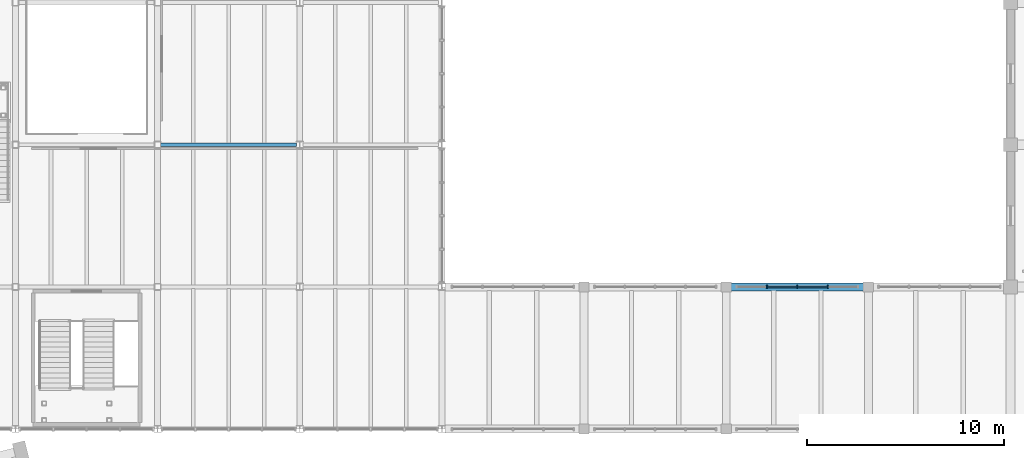
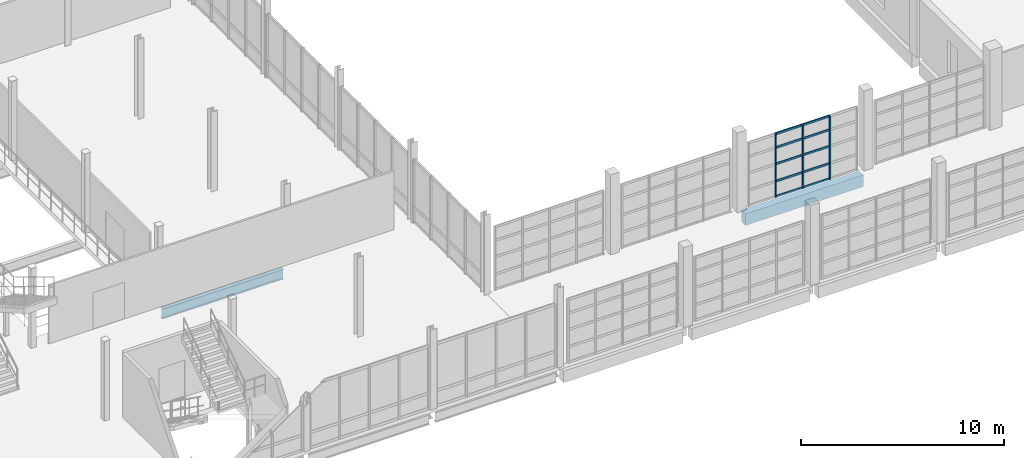
# One storey, part 31 of 77: 13 members, 2 beams, 1 element without a shape of its own.
"""IFC4 building model written with IfcOpenShell, lengths in metres."""

from ifc_helpers import new_model, si_unit, direction, frame, origin, origin_2d, place, context, subcontext, project, spatial, rectangle, i_section, extrude, material, material_profile, profile_set, type_object, element, aggregate, save


model = new_model("IFC4")

# Units and contexts
model_context = context("Model", 3, precision=1e-05, world=origin(), true_north=direction((0.0, 1.0)))
body_context = subcontext(model_context, "Body", "Model", "MODEL_VIEW")
ifc_project = project(units=[si_unit("LENGTHUNIT", "METRE"), si_unit("AREAUNIT", "SQUARE_METRE"), si_unit("VOLUMEUNIT", "CUBIC_METRE"), si_unit("PLANEANGLEUNIT", "RADIAN"), si_unit("MASSUNIT", "GRAM", prefix="KILO")], contexts=[model_context])

# Site, building, storey
site_placement = place(None, origin())
site = spatial("IfcSite", under=ifc_project, at=site_placement, CompositionType="ELEMENT")
building_placement = place(site_placement, origin())
building = spatial("IfcBuilding", under=site, at=building_placement, Name="Qiaolan Assembly House", CompositionType="ELEMENT")
storey_placement = place(building_placement, frame((0.0, 0.0, 5.39990234375)))
storey = spatial("IfcBuildingStorey", under=building, at=storey_placement, Name="L01", CompositionType="ELEMENT", Elevation=5.39990234375)

# Beams
ifc_material_1 = material(Name="Concrete C40/50", Category="concrete")
ifc_material_profile_1 = material_profile(ifc_material_1, rectangle(XDim=0.39990234375, YDim=0.699951171875, at=origin_2d()), Name="RCB 400x700")
ifc_profile_set_1 = profile_set([ifc_material_profile_1], Name="Concrete C40/50")
beam_type_1 = type_object("IfcBeamType", Name="BM-RC-400x700", PredefinedType="BEAM", material=ifc_profile_set_1)
beam_1_placement = place(storey_placement, frame((122.64990234375, 43.199951171875, -0.619873046875), z_axis=(1.0, 0.0, 0.0), x_axis=(0.0, 1.0, 0.0)))
element("IfcBeam", 1, at=beam_1_placement, inside=storey, type_object=beam_type_1, Name="GB-05 beam BMX-CLS-L01-02-01", PredefinedType="BEAM", context=body_context, shape_type="SweptSolid", body=[
    extrude(rectangle(XDim=0.39990234375, YDim=0.699951171875, at=origin_2d()), origin(), (0.0, 0.0, 1.0), 6.7001953125),
])
ifc_material_2 = material(Name="Steel Q355B", Category="steel")
ifc_material_profile_2 = material_profile(ifc_material_2, i_section(OverallWidth=0.199951171875, OverallDepth=0.60009765625, WebThickness=0.010986328125, FlangeThickness=0.01708984375, FilletRadius=0.02001953125, at=origin_2d()), Name="HN 600x200x11x17")
ifc_profile_set_2 = profile_set([ifc_material_profile_2], Name="Steel Q355B")
beam_type_2 = type_object("IfcBeamType", Name="BM-STL-HN600", PredefinedType="BEAM", material=ifc_profile_set_2)
beam_2_placement = place(storey_placement, frame((93.75, 50.39990234375, -0.599853515625), z_axis=(1.0, 0.0, 0.0), x_axis=(0.0, 1.0, 0.0)))
element("IfcBeam", 2, at=beam_2_placement, inside=storey, type_object=beam_type_2, Name="SB-03 beam BMX-HL-L01-10-02", PredefinedType="BEAM", context=body_context, shape_type="SweptSolid", body=[
    extrude(i_section(OverallWidth=0.199951171875, OverallDepth=0.60009765625, WebThickness=0.010986328125, FlangeThickness=0.01708984375, FilletRadius=0.02001953125, at=origin_2d()), origin(), (0.0, 0.0, 1.0), 6.885009765625),
])

# Curtain wall, members
ifc_material_3 = material(Name="Anodised bronze aluminium", Category="aluminium")
curtain_wall_type = type_object("IfcCurtainWallType", Name="CW-CLOISTER-420", PredefinedType="NOTDEFINED", material=ifc_material_3)
curtain_wall_placement = place(storey_placement, origin())
curtain_wall = element("IfcCurtainWall", 3, at=curtain_wall_placement, inside=storey, type_object=curtain_wall_type, Name="CW-05 South Cloister court arcade L01-3", PredefinedType="NOTDEFINED")
ifc_material_profile_3 = material_profile(ifc_material_3, rectangle(XDim=0.070068359375, YDim=0.155029296875, at=origin_2d()), Name="MUL 70x155")
ifc_profile_set_3 = profile_set([ifc_material_profile_3], Name="Anodised bronze aluminium")
member_type_1 = type_object("IfcMemberType", Name="CW-CLOISTER-420-MUL", PredefinedType="MULLION", material=ifc_profile_set_3)
member_1_placement = place(storey_placement, frame((127.5400390625, 43.199951171875, 0.0), z_axis=(0.0, 0.0, 1.0), x_axis=(-1.0, 0.0, 0.0)))
member_1 = element("IfcMember", 4, at=member_1_placement, type_object=member_type_1, Name="ML-06 mullion CW-CLS-CRT-L01-2-2", PredefinedType="MULLION", context=body_context, shape_type="SweptSolid", body=[
    extrude(rectangle(XDim=0.070068359375, YDim=0.155029296875, at=origin_2d()), origin(), (0.0, 0.0, 1.0), 3.820068359375),
])
member_2_placement = place(storey_placement, frame((126.0, 43.199951171875, 0.0), z_axis=(0.0, 0.0, 1.0), x_axis=(-1.0, 0.0, 0.0)))
member_2 = element("IfcMember", 5, at=member_2_placement, type_object=member_type_1, Name="ML-06 mullion CW-CLS-CRT-L01-2-3", PredefinedType="MULLION", context=body_context, shape_type="SweptSolid", body=[
    extrude(rectangle(XDim=0.070068359375, YDim=0.155029296875, at=origin_2d()), origin(), (0.0, 0.0, 1.0), 3.820068359375),
])
member_3_placement = place(storey_placement, frame((124.4599609375, 43.199951171875, 0.0), z_axis=(0.0, 0.0, 1.0), x_axis=(-1.0, 0.0, 0.0)))
member_3 = element("IfcMember", 6, at=member_3_placement, type_object=member_type_1, Name="ML-06 mullion CW-CLS-CRT-L01-2-4", PredefinedType="MULLION", context=body_context, shape_type="SweptSolid", body=[
    extrude(rectangle(XDim=0.070068359375, YDim=0.155029296875, at=origin_2d()), origin(), (0.0, 0.0, 1.0), 3.820068359375),
])
ifc_material_profile_4 = material_profile(ifc_material_3, rectangle(XDim=0.06201171875, YDim=0.125, at=origin_2d()), Name="TRN 62x125")
ifc_profile_set_4 = profile_set([ifc_material_profile_4], Name="Anodised bronze aluminium")
member_type_2 = type_object("IfcMemberType", Name="CW-CLOISTER-420-TRN", PredefinedType="USERDEFINED", material=ifc_profile_set_4)
member_4_placement = place(storey_placement, frame((127.5048828125, 43.199951171875, 0.030029296875), z_axis=(-1.0, 0.0, 0.0), x_axis=(0.0, -1.0, 0.0)))
member_4 = element("IfcMember", 7, at=member_4_placement, type_object=member_type_2, Name="TR-06 transom CW-CLS-CRT-L01-2-2-1", ObjectType="TRANSOM", PredefinedType="USERDEFINED", context=body_context, shape_type="SweptSolid", body=[
    extrude(rectangle(XDim=0.06201171875, YDim=0.125, at=origin_2d()), origin(), (0.0, 0.0, 1.0), 1.469970703125),
])
member_5_placement = place(storey_placement, frame((127.5048828125, 43.199951171875, 0.9501953125), z_axis=(-1.0, 0.0, 0.0), x_axis=(0.0, -1.0, 0.0)))
member_5 = element("IfcMember", 8, at=member_5_placement, type_object=member_type_2, Name="TR-06 transom CW-CLS-CRT-L01-2-2-2", ObjectType="TRANSOM", PredefinedType="USERDEFINED", context=body_context, shape_type="SweptSolid", body=[
    extrude(rectangle(XDim=0.06201171875, YDim=0.125, at=origin_2d()), origin(), (0.0, 0.0, 1.0), 1.469970703125),
])
member_6_placement = place(storey_placement, frame((127.5048828125, 43.199951171875, 1.986572265625), z_axis=(-1.0, 0.0, 0.0), x_axis=(0.0, -1.0, 0.0)))
member_6 = element("IfcMember", 9, at=member_6_placement, type_object=member_type_2, Name="TR-06 transom CW-CLS-CRT-L01-2-2-3", ObjectType="TRANSOM", PredefinedType="USERDEFINED", context=body_context, shape_type="SweptSolid", body=[
    extrude(rectangle(XDim=0.06201171875, YDim=0.125, at=origin_2d()), origin(), (0.0, 0.0, 1.0), 1.469970703125),
])
member_7_placement = place(storey_placement, frame((127.5048828125, 43.199951171875, 2.97021484375), z_axis=(-1.0, 0.0, 0.0), x_axis=(0.0, -1.0, 0.0)))
member_7 = element("IfcMember", 10, at=member_7_placement, type_object=member_type_2, Name="TR-06 transom CW-CLS-CRT-L01-2-2-4", ObjectType="TRANSOM", PredefinedType="USERDEFINED", context=body_context, shape_type="SweptSolid", body=[
    extrude(rectangle(XDim=0.06201171875, YDim=0.125, at=origin_2d()), origin(), (0.0, 0.0, 1.0), 1.469970703125),
])
member_8_placement = place(storey_placement, frame((127.5048828125, 43.199951171875, 3.7900390625), z_axis=(-1.0, 0.0, 0.0), x_axis=(0.0, -1.0, 0.0)))
member_8 = element("IfcMember", 11, at=member_8_placement, type_object=member_type_2, Name="TR-06 transom CW-CLS-CRT-L01-2-2-5", ObjectType="TRANSOM", PredefinedType="USERDEFINED", context=body_context, shape_type="SweptSolid", body=[
    extrude(rectangle(XDim=0.06201171875, YDim=0.125, at=origin_2d()), origin(), (0.0, 0.0, 1.0), 1.469970703125),
])
member_9_placement = place(storey_placement, frame((125.965087890625, 43.199951171875, 0.030029296875), z_axis=(-1.0, 0.0, 0.0), x_axis=(0.0, -1.0, 0.0)))
member_9 = element("IfcMember", 12, at=member_9_placement, type_object=member_type_2, Name="TR-06 transom CW-CLS-CRT-L01-2-3-1", ObjectType="TRANSOM", PredefinedType="USERDEFINED", context=body_context, shape_type="SweptSolid", body=[
    extrude(rectangle(XDim=0.06201171875, YDim=0.125, at=origin_2d()), origin(), (0.0, 0.0, 1.0), 1.469970703125),
])
member_10_placement = place(storey_placement, frame((125.965087890625, 43.199951171875, 0.9501953125), z_axis=(-1.0, 0.0, 0.0), x_axis=(0.0, -1.0, 0.0)))
member_10 = element("IfcMember", 13, at=member_10_placement, type_object=member_type_2, Name="TR-06 transom CW-CLS-CRT-L01-2-3-2", ObjectType="TRANSOM", PredefinedType="USERDEFINED", context=body_context, shape_type="SweptSolid", body=[
    extrude(rectangle(XDim=0.06201171875, YDim=0.125, at=origin_2d()), origin(), (0.0, 0.0, 1.0), 1.469970703125),
])
member_11_placement = place(storey_placement, frame((125.965087890625, 43.199951171875, 1.986572265625), z_axis=(-1.0, 0.0, 0.0), x_axis=(0.0, -1.0, 0.0)))
member_11 = element("IfcMember", 14, at=member_11_placement, type_object=member_type_2, Name="TR-06 transom CW-CLS-CRT-L01-2-3-3", ObjectType="TRANSOM", PredefinedType="USERDEFINED", context=body_context, shape_type="SweptSolid", body=[
    extrude(rectangle(XDim=0.06201171875, YDim=0.125, at=origin_2d()), origin(), (0.0, 0.0, 1.0), 1.469970703125),
])
member_12_placement = place(storey_placement, frame((125.965087890625, 43.199951171875, 2.97021484375), z_axis=(-1.0, 0.0, 0.0), x_axis=(0.0, -1.0, 0.0)))
member_12 = element("IfcMember", 15, at=member_12_placement, type_object=member_type_2, Name="TR-06 transom CW-CLS-CRT-L01-2-3-4", ObjectType="TRANSOM", PredefinedType="USERDEFINED", context=body_context, shape_type="SweptSolid", body=[
    extrude(rectangle(XDim=0.06201171875, YDim=0.125, at=origin_2d()), origin(), (0.0, 0.0, 1.0), 1.469970703125),
])
member_13_placement = place(storey_placement, frame((125.965087890625, 43.199951171875, 3.7900390625), z_axis=(-1.0, 0.0, 0.0), x_axis=(0.0, -1.0, 0.0)))
member_13 = element("IfcMember", 16, at=member_13_placement, type_object=member_type_2, Name="TR-06 transom CW-CLS-CRT-L01-2-3-5", ObjectType="TRANSOM", PredefinedType="USERDEFINED", context=body_context, shape_type="SweptSolid", body=[
    extrude(rectangle(XDim=0.06201171875, YDim=0.125, at=origin_2d()), origin(), (0.0, 0.0, 1.0), 1.469970703125),
])
aggregate(curtain_wall, [member_1, member_2, member_3, member_4, member_5, member_6, member_7, member_8, member_9, member_10, member_11, member_12, member_13])

save(model, "model.ifc")
